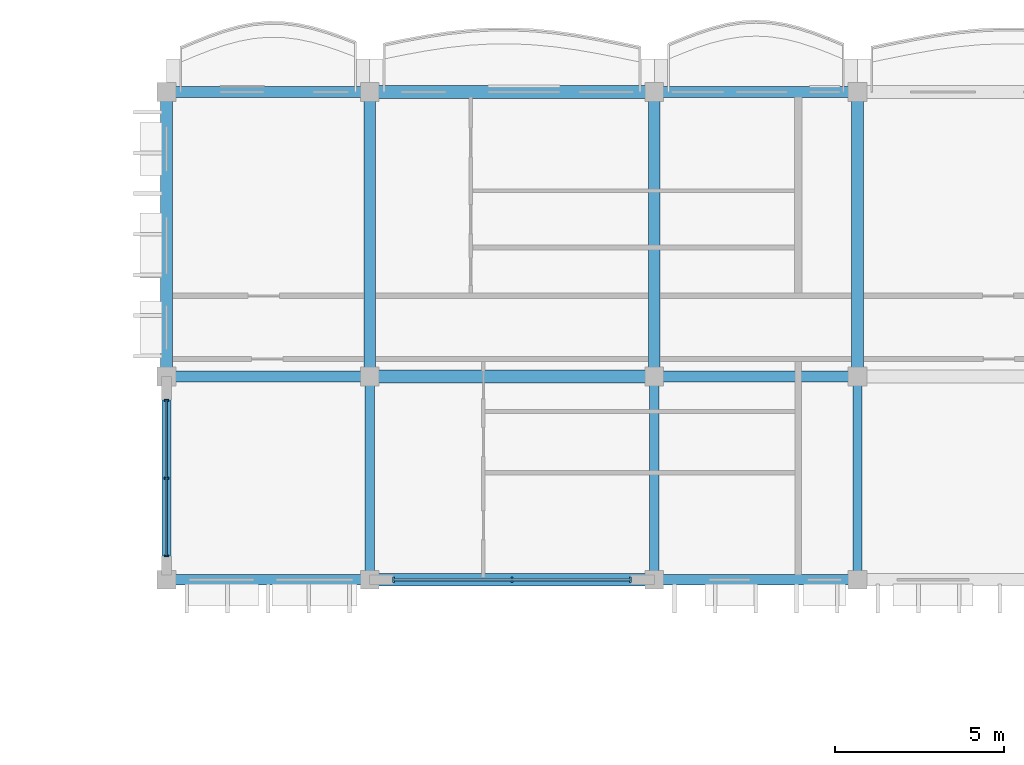
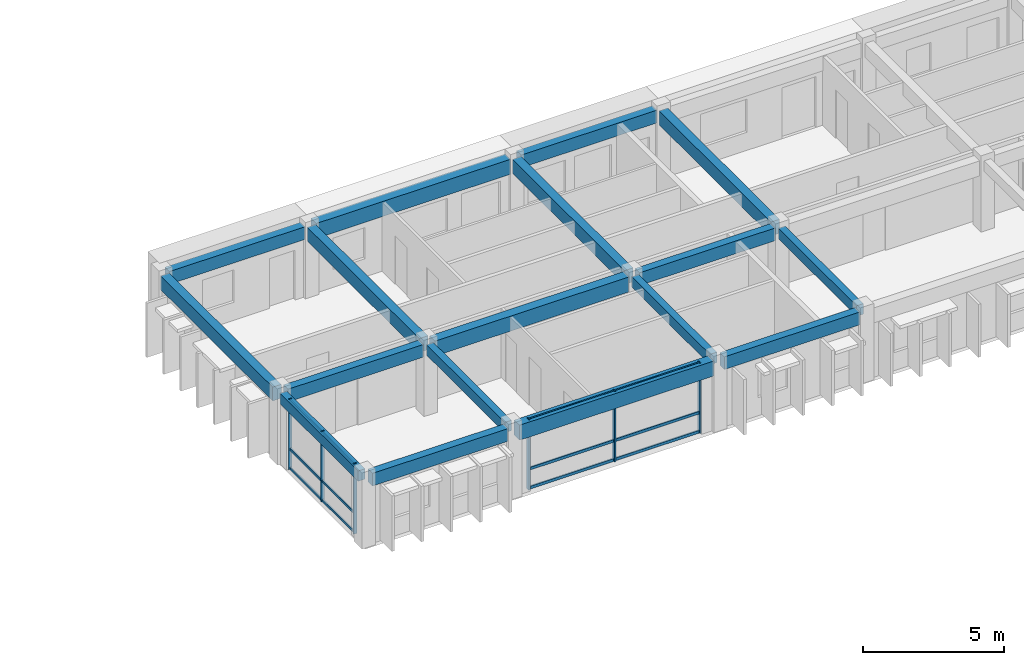
# One storey, part 11 of 68: 17 beams, 12 members, 2 elements without a shape of their own.
"""IFC4 building model written with IfcOpenShell, lengths in metres."""

from ifc_helpers import new_model, si_unit, direction, frame, origin, origin_2d, place, context, subcontext, project, spatial, rectangle, extrude, material, material_profile, profile_set, type_object, element, aggregate, save


model = new_model("IFC4")

# Units and contexts
model_context = context("Model", 3, precision=1e-05, world=origin(), true_north=direction((0.0, 1.0)))
body_context = subcontext(model_context, "Body", "Model", "MODEL_VIEW")
ifc_project = project(units=[si_unit("LENGTHUNIT", "METRE"), si_unit("AREAUNIT", "SQUARE_METRE"), si_unit("VOLUMEUNIT", "CUBIC_METRE"), si_unit("PLANEANGLEUNIT", "RADIAN"), si_unit("MASSUNIT", "GRAM", prefix="KILO"), si_unit("THERMODYNAMICTEMPERATUREUNIT", "KELVIN")], contexts=[model_context])

# Site, building, storey
site_placement = place(None, origin())
site = spatial("IfcSite", under=ifc_project, at=site_placement, CompositionType="ELEMENT")
building_placement = place(site_placement, origin())
building = spatial("IfcBuilding", under=site, at=building_placement, Name="Thalorik Housing Commons", CompositionType="ELEMENT")
storey_placement = place(building_placement, frame((0.0, 0.0, 24.60009765625)))
storey = spatial("IfcBuildingStorey", under=building, at=storey_placement, Name="L07", CompositionType="ELEMENT", Elevation=24.60009765625)

# Curtain wall, members
ifc_material_1 = material(Name="Anodised aluminium and solar-control low-E glass", Category="aluminium")
curtain_wall_type = type_object("IfcCurtainWallType", Name="ARC-CW-LOUNGE", PredefinedType="USERDEFINED", material=ifc_material_1)
curtain_wall_1_placement = place(storey_placement, origin())
curtain_wall_1 = element("IfcCurtainWall", 1, at=curtain_wall_1_placement, inside=storey, type_object=curtain_wall_type, Name="L07 Curtain Wall CW-RES-L07-B-103", ObjectType="CURTAIN WALL", PredefinedType="USERDEFINED")
ifc_material_2 = material(Name="Anodised aluminium 6063-T6", Category="aluminium")
ifc_material_profile_1 = material_profile(ifc_material_2, rectangle(XDim=0.054931640625, YDim=0.139892578125, at=origin_2d()), Name="ALU MUL 55x140", Category="aluminium")
ifc_profile_set_1 = profile_set([ifc_material_profile_1], Name="Anodised aluminium 6063-T6")
member_type_1 = type_object("IfcMemberType", Name="ARC-CW-MUL-55x140", PredefinedType="MULLION", material=ifc_profile_set_1)
member_1_placement = place(storey_placement, frame((80.39990234375, 114.5, 0.0), z_axis=(0.0, 0.0, 1.0), x_axis=(0.0, -1.0, 0.0)))
member_1 = element("IfcMember", 2, at=member_1_placement, type_object=member_type_1, Name="CW-RES-L07-B-103 Mullion 1", PredefinedType="MULLION", context=body_context, shape_type="SweptSolid", body=[
    extrude(rectangle(XDim=0.054931640625, YDim=0.139892578125, at=origin_2d()), origin(), (0.0, 0.0, 1.0), 3.039794921875),
])
member_2_placement = place(storey_placement, frame((80.39990234375, 112.199951171875, 0.0), z_axis=(0.0, 0.0, 1.0), x_axis=(0.0, -1.0, 0.0)))
member_2 = element("IfcMember", 3, at=member_2_placement, type_object=member_type_1, Name="CW-RES-L07-B-103 Mullion 2", PredefinedType="MULLION", context=body_context, shape_type="SweptSolid", body=[
    extrude(rectangle(XDim=0.054931640625, YDim=0.139892578125, at=origin_2d()), origin(), (0.0, 0.0, 1.0), 3.039794921875),
])
member_3_placement = place(storey_placement, frame((80.39990234375, 109.89990234375, 0.0), z_axis=(0.0, 0.0, 1.0), x_axis=(0.0, -1.0, 0.0)))
member_3 = element("IfcMember", 4, at=member_3_placement, type_object=member_type_1, Name="CW-RES-L07-B-103 Mullion 3", PredefinedType="MULLION", context=body_context, shape_type="SweptSolid", body=[
    extrude(rectangle(XDim=0.054931640625, YDim=0.139892578125, at=origin_2d()), origin(), (0.0, 0.0, 1.0), 3.039794921875),
])

curtain_wall_2_placement = place(storey_placement, origin())
curtain_wall_2 = element("IfcCurtainWall", 5, at=curtain_wall_2_placement, inside=storey, type_object=curtain_wall_type, Name="L07 Curtain Wall CW-RES-L07-B-104", ObjectType="CURTAIN WALL", PredefinedType="USERDEFINED")
ifc_material_profile_2 = material_profile(ifc_material_2, rectangle(XDim=0.06005859375, YDim=0.159912109375, at=origin_2d()), Name="ALU MUL 60x160", Category="aluminium")
ifc_profile_set_2 = profile_set([ifc_material_profile_2], Name="Anodised aluminium 6063-T6")
member_type_2 = type_object("IfcMemberType", Name="ARC-CW-MUL-60x160", PredefinedType="MULLION", material=ifc_profile_set_2)
member_4_placement = place(storey_placement, frame((87.10009765625, 109.199951171875, 0.0), z_axis=(0.0, 0.0, 1.0), x_axis=(1.0, 0.0, 0.0)))
member_4 = element("IfcMember", 6, at=member_4_placement, type_object=member_type_2, Name="CW-RES-L07-B-104 Mullion 1", PredefinedType="MULLION", context=body_context, shape_type="SweptSolid", body=[
    extrude(rectangle(XDim=0.06005859375, YDim=0.159912109375, at=origin_2d()), origin(), (0.0, 0.0, 1.0), 3.039794921875),
])
member_5_placement = place(storey_placement, frame((90.60009765625, 109.199951171875, 0.0), z_axis=(0.0, 0.0, 1.0), x_axis=(1.0, 0.0, 0.0)))
member_5 = element("IfcMember", 7, at=member_5_placement, type_object=member_type_2, Name="CW-RES-L07-B-104 Mullion 2", PredefinedType="MULLION", context=body_context, shape_type="SweptSolid", body=[
    extrude(rectangle(XDim=0.06005859375, YDim=0.159912109375, at=origin_2d()), origin(), (0.0, 0.0, 1.0), 3.039794921875),
])
member_6_placement = place(storey_placement, frame((94.10009765625, 109.199951171875, 0.0), z_axis=(0.0, 0.0, 1.0), x_axis=(1.0, 0.0, 0.0)))
member_6 = element("IfcMember", 8, at=member_6_placement, type_object=member_type_2, Name="CW-RES-L07-B-104 Mullion 3", PredefinedType="MULLION", context=body_context, shape_type="SweptSolid", body=[
    extrude(rectangle(XDim=0.06005859375, YDim=0.159912109375, at=origin_2d()), origin(), (0.0, 0.0, 1.0), 3.039794921875),
])

# Member
ifc_material_profile_3 = material_profile(ifc_material_2, rectangle(XDim=0.054931640625, YDim=0.10498046875, at=origin_2d()), Name="ALU TRN 55x105", Category="aluminium")
ifc_profile_set_3 = profile_set([ifc_material_profile_3], Name="Anodised aluminium 6063-T6")
member_type_3 = type_object("IfcMemberType", Name="ARC-CW-TRN-55x105", PredefinedType="USERDEFINED", material=ifc_profile_set_3)
member_7_placement = place(storey_placement, frame((80.39990234375, 114.5, 0.054931640625), z_axis=(0.0, -1.0, 0.0), x_axis=(1.0, 0.0, 0.0)))
member_7 = element("IfcMember", 9, at=member_7_placement, type_object=member_type_3, Name="CW-RES-L07-B-103 Transom 1", ObjectType="TRANSOM", PredefinedType="USERDEFINED", context=body_context, shape_type="SweptSolid", body=[
    extrude(rectangle(XDim=0.054931640625, YDim=0.10498046875, at=origin_2d()), origin(), (0.0, 0.0, 1.0), 4.60009765625),
])

member_8_placement = place(storey_placement, frame((80.39990234375, 114.5, 0.8798828125), z_axis=(0.0, -1.0, 0.0), x_axis=(1.0, 0.0, 0.0)))
member_8 = element("IfcMember", 10, at=member_8_placement, type_object=member_type_3, Name="CW-RES-L07-B-103 Transom 2", ObjectType="TRANSOM", PredefinedType="USERDEFINED", context=body_context, shape_type="SweptSolid", body=[
    extrude(rectangle(XDim=0.054931640625, YDim=0.10498046875, at=origin_2d()), origin(), (0.0, 0.0, 1.0), 4.60009765625),
])

member_9_placement = place(storey_placement, frame((80.39990234375, 114.5, 2.98486328125), z_axis=(0.0, -1.0, 0.0), x_axis=(1.0, 0.0, 0.0)))
member_9 = element("IfcMember", 11, at=member_9_placement, type_object=member_type_3, Name="CW-RES-L07-B-103 Transom 3", ObjectType="TRANSOM", PredefinedType="USERDEFINED", context=body_context, shape_type="SweptSolid", body=[
    extrude(rectangle(XDim=0.054931640625, YDim=0.10498046875, at=origin_2d()), origin(), (0.0, 0.0, 1.0), 4.60009765625),
])

aggregate(curtain_wall_1, [member_1, member_2, member_3, member_7, member_8, member_9])

ifc_material_profile_4 = material_profile(ifc_material_2, rectangle(XDim=0.06005859375, YDim=0.1201171875, at=origin_2d()), Name="ALU TRN 60x120", Category="aluminium")
ifc_profile_set_4 = profile_set([ifc_material_profile_4], Name="Anodised aluminium 6063-T6")
member_type_4 = type_object("IfcMemberType", Name="ARC-CW-TRN-60x120", PredefinedType="USERDEFINED", material=ifc_profile_set_4)
member_10_placement = place(storey_placement, frame((87.10009765625, 109.199951171875, 0.054931640625), z_axis=(1.0, 0.0, 0.0), x_axis=(0.0, 1.0, 0.0)))
member_10 = element("IfcMember", 12, at=member_10_placement, type_object=member_type_4, Name="CW-RES-L07-B-104 Transom 1", ObjectType="TRANSOM", PredefinedType="USERDEFINED", context=body_context, shape_type="SweptSolid", body=[
    extrude(rectangle(XDim=0.06005859375, YDim=0.1201171875, at=origin_2d()), origin(), (0.0, 0.0, 1.0), 7.0),
])

member_11_placement = place(storey_placement, frame((87.10009765625, 109.199951171875, 0.8798828125), z_axis=(1.0, 0.0, 0.0), x_axis=(0.0, 1.0, 0.0)))
member_11 = element("IfcMember", 13, at=member_11_placement, type_object=member_type_4, Name="CW-RES-L07-B-104 Transom 2", ObjectType="TRANSOM", PredefinedType="USERDEFINED", context=body_context, shape_type="SweptSolid", body=[
    extrude(rectangle(XDim=0.06005859375, YDim=0.1201171875, at=origin_2d()), origin(), (0.0, 0.0, 1.0), 7.0),
])

member_12_placement = place(storey_placement, frame((87.10009765625, 109.199951171875, 2.98486328125), z_axis=(1.0, 0.0, 0.0), x_axis=(0.0, 1.0, 0.0)))
member_12 = element("IfcMember", 14, at=member_12_placement, type_object=member_type_4, Name="CW-RES-L07-B-104 Transom 3", ObjectType="TRANSOM", PredefinedType="USERDEFINED", context=body_context, shape_type="SweptSolid", body=[
    extrude(rectangle(XDim=0.06005859375, YDim=0.1201171875, at=origin_2d()), origin(), (0.0, 0.0, 1.0), 7.0),
])

aggregate(curtain_wall_2, [member_4, member_5, member_6, member_10, member_11, member_12])

# Beams
ifc_material_3 = material(Name="Precast concrete C40/50", Category="concrete")
ifc_material_profile_5 = material_profile(ifc_material_3, rectangle(XDim=0.280029296875, YDim=0.449951171875, at=origin_2d()), Name="PC 280x450", Category="concrete")
ifc_profile_set_5 = profile_set([ifc_material_profile_5], Name="Precast concrete C40/50")
beam_type_1 = type_object("IfcBeamType", Name="STR-BM-PC280x450", PredefinedType="BEAM", material=ifc_profile_set_5)
for number, where, z_axis, x_axis, name in (
    (15, (80.39990234375, 109.425048828125, 2.81494140625), (0.0, 1.0, 0.0), (-1.0, 0.0, 0.0), "L07 Beam B-450"),
    (16, (86.39990234375, 109.425048828125, 2.81494140625), (0.0, 1.0, 0.0), (-1.0, 0.0, 0.0), "L07 Beam B-450"),
    (17, (94.800048828125, 109.425048828125, 2.81494140625), (0.0, 1.0, 0.0), (-1.0, 0.0, 0.0), "L07 Beam B-450"),
    (18, (100.800048828125, 109.425048828125, 2.81494140625), (0.0, 1.0, 0.0), (-1.0, 0.0, 0.0), "L07 Beam B-450"),
):
    element("IfcBeam", number, at=place(storey_placement, frame(where, z_axis=z_axis, x_axis=x_axis)), inside=storey, type_object=beam_type_1, Name=name, PredefinedType="BEAM", context=body_context, shape_type="SweptSolid", body=[
        extrude(rectangle(XDim=0.280029296875, YDim=0.449951171875, at=origin_2d()), origin(), (0.0, 0.0, 1.0), 5.550048828125),
    ])
ifc_material_profile_6 = material_profile(ifc_material_3, rectangle(XDim=0.320068359375, YDim=0.550048828125, at=origin_2d()), Name="PC 320x550", Category="concrete")
ifc_profile_set_6 = profile_set([ifc_material_profile_6], Name="Precast concrete C40/50")
beam_type_2 = type_object("IfcBeamType", Name="STR-BM-PC320x550", PredefinedType="BEAM", material=ifc_profile_set_6)
for number, where, z_axis, x_axis, name in (
    (19, (80.625, 109.199951171875, 2.764892578125), (1.0, 0.0, 0.0), (0.0, 1.0, 0.0), "L07 Beam B-550"),
    (20, (95.02490234375, 109.199951171875, 2.764892578125), (1.0, 0.0, 0.0), (0.0, 1.0, 0.0), "L07 Beam B-550"),
    (21, (80.625, 115.199951171875, 2.764892578125), (1.0, 0.0, 0.0), (0.0, 1.0, 0.0), "L07 Beam B-550"),
    (22, (95.02490234375, 115.199951171875, 2.764892578125), (1.0, 0.0, 0.0), (0.0, 1.0, 0.0), "L07 Beam B-550"),
    (23, (80.625, 123.60009765625, 2.764892578125), (1.0, 0.0, 0.0), (0.0, 1.0, 0.0), "L07 Beam B-550"),
    (24, (95.02490234375, 123.60009765625, 2.764892578125), (1.0, 0.0, 0.0), (0.0, 1.0, 0.0), "L07 Beam B-550"),
):
    element("IfcBeam", number, at=place(storey_placement, frame(where, z_axis=z_axis, x_axis=x_axis)), inside=storey, type_object=beam_type_2, Name=name, PredefinedType="BEAM", context=body_context, shape_type="SweptSolid", body=[
        extrude(rectangle(XDim=0.320068359375, YDim=0.550048828125, at=origin_2d()), origin(), (0.0, 0.0, 1.0), 5.550048828125),
    ])
ifc_material_profile_7 = material_profile(ifc_material_3, rectangle(XDim=0.35009765625, YDim=0.60009765625, at=origin_2d()), Name="PC 350x600", Category="concrete")
ifc_profile_set_7 = profile_set([ifc_material_profile_7], Name="Precast concrete C40/50")
beam_type_3 = type_object("IfcBeamType", Name="STR-BM-PC350x600", PredefinedType="BEAM", material=ifc_profile_set_7)
for number, where, z_axis, x_axis, name in (
    (25, (80.39990234375, 115.425048828125, 2.739990234375), (0.0, 1.0, 0.0), (-1.0, 0.0, 0.0), "L07 Beam B-600"),
    (26, (86.39990234375, 115.425048828125, 2.739990234375), (0.0, 1.0, 0.0), (-1.0, 0.0, 0.0), "L07 Beam B-600"),
    (27, (94.800048828125, 115.425048828125, 2.739990234375), (0.0, 1.0, 0.0), (-1.0, 0.0, 0.0), "L07 Beam B-600"),
    (28, (100.800048828125, 115.425048828125, 2.739990234375), (0.0, 1.0, 0.0), (-1.0, 0.0, 0.0), "L07 Beam B-600"),
):
    element("IfcBeam", number, at=place(storey_placement, frame(where, z_axis=z_axis, x_axis=x_axis)), inside=storey, type_object=beam_type_3, Name=name, PredefinedType="BEAM", context=body_context, shape_type="SweptSolid", body=[
        extrude(rectangle(XDim=0.35009765625, YDim=0.60009765625, at=origin_2d()), origin(), (0.0, 0.0, 1.0), 7.949951171875),
    ])
ifc_material_profile_8 = material_profile(ifc_material_3, rectangle(XDim=0.3798828125, YDim=0.64990234375, at=origin_2d()), Name="PC 380x650", Category="concrete")
ifc_profile_set_8 = profile_set([ifc_material_profile_8], Name="Precast concrete C40/50")
beam_type_4 = type_object("IfcBeamType", Name="STR-BM-PC380x650", PredefinedType="BEAM", material=ifc_profile_set_8)
for number, where, z_axis, x_axis, name in (
    (29, (86.625, 109.199951171875, 2.71484375), (1.0, 0.0, 0.0), (0.0, 1.0, 0.0), "L07 Beam B-650"),
    (30, (86.625, 115.199951171875, 2.71484375), (1.0, 0.0, 0.0), (0.0, 1.0, 0.0), "L07 Beam B-650"),
    (31, (86.625, 123.60009765625, 2.71484375), (1.0, 0.0, 0.0), (0.0, 1.0, 0.0), "L07 Beam B-650"),
):
    element("IfcBeam", number, at=place(storey_placement, frame(where, z_axis=z_axis, x_axis=x_axis)), inside=storey, type_object=beam_type_4, Name=name, PredefinedType="BEAM", context=body_context, shape_type="SweptSolid", body=[
        extrude(rectangle(XDim=0.3798828125, YDim=0.64990234375, at=origin_2d()), origin(), (0.0, 0.0, 1.0), 7.949951171875),
    ])

save(model, "model.ifc")
